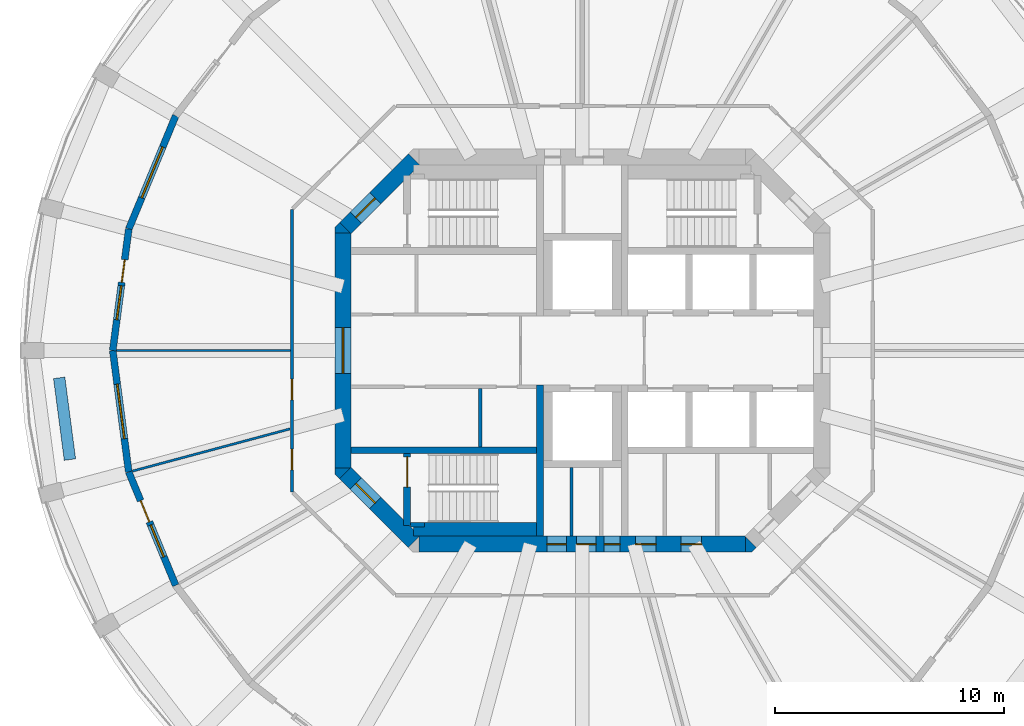
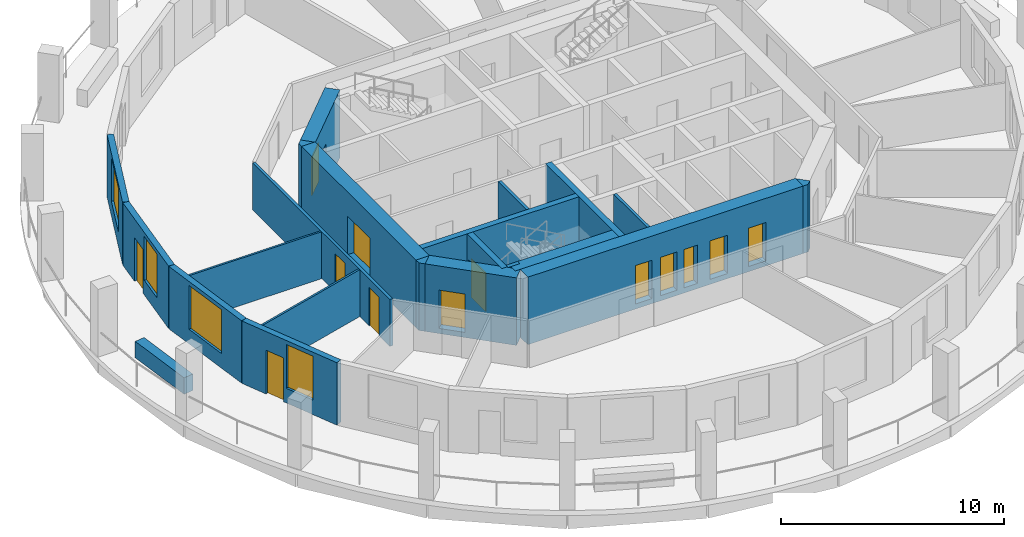
# One storey, part 3 of 9: 22 walls, 13 doors, 4 windows, 17 openings.
"""IFC4 building model written with IfcOpenShell, lengths in metres."""

from ifc_helpers import new_model, si_unit, direction, frame, frame_2d, origin, place, context, subcontext, project, spatial, polyline, rectangle, outline, extrude, material, layer, layer_set, type_object, element, fill, save


model = new_model("IFC4")

# Units and contexts
model_context = context("Model", 3, precision=1e-05, world=origin(), true_north=direction((0.0, 1.0)))
body_context = subcontext(model_context, "Body", "Model", "MODEL_VIEW")
ifc_project = project(units=[si_unit("LENGTHUNIT", "METRE"), si_unit("AREAUNIT", "SQUARE_METRE"), si_unit("VOLUMEUNIT", "CUBIC_METRE"), si_unit("PLANEANGLEUNIT", "RADIAN"), si_unit("MASSUNIT", "GRAM", prefix="KILO")], contexts=[model_context])

# Site, building, storey
site_placement = place(None, origin())
site = spatial("IfcSite", under=ifc_project, at=site_placement, CompositionType="ELEMENT")
building_placement = place(site_placement, origin())
building = spatial("IfcBuilding", under=site, at=building_placement, Name="Torre Triforio", CompositionType="ELEMENT")
storey_placement = place(building_placement, frame((0.0, 0.0, 229.800048828125)))
storey = spatial("IfcBuildingStorey", under=building, at=storey_placement, Name="L52", CompositionType="ELEMENT", Elevation=229.800048828125)

# Wall
ifc_material_1 = material(Name="Concrete C50", Category="concrete")
ifc_layer_1 = layer(ifc_material_1, 0.300048828125)
ifc_layer_set_1 = layer_set([ifc_layer_1], Name="Concrete C50")
wall_type_1 = type_object("IfcWallType", Name="Core wall 300 mm C50 EI 120", PredefinedType="SHEAR", material=ifc_layer_set_1)
wall_1_placement = place(storey_placement, frame((-1.85009765625, -8.10009765625, 0.0), z_axis=(0.0, 0.0, 1.0), x_axis=(0.0, 1.0, 0.0)))
element("IfcWall", 1, at=wall_1_placement, inside=storey, type_object=wall_type_1, Name="Core wall", PredefinedType="SHEAR", context=body_context, shape_type="SweptSolid", body=[
    extrude(rectangle(XDim=6.60009765625, YDim=0.300048828125, at=frame_2d((3.300048828125, 0.0))), origin(), (0.0, 0.0, 1.0), 3.419921875),
])

# Wall, openings, doors
ifc_layer_2 = layer(ifc_material_1, 0.699951171875)
ifc_layer_set_2 = layer_set([ifc_layer_2], Name="Concrete C50")
wall_type_2 = type_object("IfcWallType", Name="Core wall 700 mm C50 EI 120", PredefinedType="SHEAR", material=ifc_layer_set_2)
wall_2_placement = place(storey_placement, frame((-7.1298828125, -8.449951171875, -0.280029296875), z_axis=(0.0, 0.0, 1.0), x_axis=(1.0, 0.0, 0.0)))
wall_2 = element("IfcWall", 2, at=wall_2_placement, inside=storey, type_object=wall_type_2, Name="Core wall", PredefinedType="SHEAR", context=body_context, shape_type="SweptSolid", body=[
    extrude(rectangle(XDim=14.259765625, YDim=0.699951171875, at=frame_2d((7.1298828125, 0.0))), origin(), (0.0, 0.0, 1.0), 3.699951171875),
])
opening_1_placement = place(wall_2_placement, frame((8.080078125, 0.0, 0.280029296875)))
opening_1 = element("IfcOpeningElement", 3, at=opening_1_placement, cuts=wall_2, Name="Opening RISER-S", PredefinedType="OPENING", context=body_context, shape_type="SweptSolid", body=[
    extrude(rectangle(XDim=0.699951171875, YDim=2.10009765625, at=frame_2d((0.35009765625, 1.050048828125))), frame((0.0, 0.35986328125, 0.0), z_axis=(0.0, -1.0, 0.0), x_axis=(1.0, 0.0, 0.0)), (0.0, 0.0, 1.0), 0.719970703125),
])
opening_2_placement = place(wall_2_placement, frame((5.580078125, 0.0, 0.280029296875)))
opening_2 = element("IfcOpeningElement", 4, at=opening_2_placement, cuts=wall_2, Name="Opening SW-01A", PredefinedType="OPENING", context=body_context, shape_type="SweptSolid", body=[
    extrude(rectangle(XDim=0.85009765625, YDim=2.10009765625, at=frame_2d((0.425048828125, 1.050048828125))), frame((0.0, 0.35986328125, 0.0), z_axis=(0.0, -1.0, 0.0), x_axis=(1.0, 0.0, 0.0)), (0.0, 0.0, 1.0), 0.719970703125),
])
opening_3_placement = place(wall_2_placement, frame((6.8798828125, 0.0, 0.280029296875)))
opening_3 = element("IfcOpeningElement", 5, at=opening_3_placement, cuts=wall_2, Name="Opening SW-02", PredefinedType="OPENING", context=body_context, shape_type="SweptSolid", body=[
    extrude(rectangle(XDim=0.85009765625, YDim=2.10009765625, at=frame_2d((0.425048828125, 1.050048828125))), frame((0.0, 0.35986328125, 0.0), z_axis=(0.0, -1.0, 0.0), x_axis=(1.0, 0.0, 0.0)), (0.0, 0.0, 1.0), 0.719970703125),
])
opening_4_placement = place(wall_2_placement, frame((9.445068359375, 0.0, 0.280029296875)))
opening_4 = element("IfcOpeningElement", 6, at=opening_4_placement, cuts=wall_2, Name="Opening SE-01A", PredefinedType="OPENING", context=body_context, shape_type="SweptSolid", body=[
    extrude(rectangle(XDim=0.89990234375, YDim=2.10009765625, at=frame_2d((0.449951171875, 1.050048828125))), frame((0.0, 0.35986328125, 0.0), z_axis=(0.0, -1.0, 0.0), x_axis=(1.0, 0.0, 0.0)), (0.0, 0.0, 1.0), 0.719970703125),
])
opening_5_placement = place(wall_2_placement, frame((11.430908203125, 0.0, 0.280029296875)))
opening_5 = element("IfcOpeningElement", 7, at=opening_5_placement, cuts=wall_2, Name="Opening SE-02", PredefinedType="OPENING", context=body_context, shape_type="SweptSolid", body=[
    extrude(rectangle(XDim=0.89990234375, YDim=2.10009765625, at=frame_2d((0.449951171875, 1.050048828125))), frame((0.0, 0.35986328125, 0.0), z_axis=(0.0, -1.0, 0.0), x_axis=(1.0, 0.0, 0.0)), (0.0, 0.0, 1.0), 0.719970703125),
])
ifc_material_2 = material(Name="Hollow metal fire door leaf")
door_type_1 = type_object("IfcDoorType", Name="Riser door 700 x 2100 EI 60", OperationType="NOTDEFINED", PredefinedType="DOOR", material=ifc_material_2)
door_1_placement = place(opening_1_placement, origin())
door_1 = element("IfcDoor", 8, at=door_1_placement, inside=storey, type_object=door_type_1, Name="Core door RISER-S", OperationType="SINGLE_SWING_RIGHT", OverallHeight=2.10009765625, OverallWidth=0.699951171875, PredefinedType="DOOR", context=body_context, shape_type="SweptSolid", body=[
    extrude(rectangle(XDim=0.699951171875, YDim=2.10009765625, at=frame_2d((0.35009765625, 1.050048828125))), frame((0.0, 0.02490234375, 0.0), z_axis=(0.0, -1.0, 0.0), x_axis=(1.0, 0.0, 0.0)), (0.0, 0.0, 1.0), 0.050048828125),
])
fill(opening_1, door_1)
door_type_2 = type_object("IfcDoorType", Name="Room door 850 x 2100 EI 60", OperationType="NOTDEFINED", PredefinedType="DOOR", material=ifc_material_2)
door_2_placement = place(opening_2_placement, origin())
door_2 = element("IfcDoor", 9, at=door_2_placement, inside=storey, type_object=door_type_2, Name="Core door SW-01", OperationType="SINGLE_SWING_RIGHT", OverallHeight=2.10009765625, OverallWidth=0.85009765625, PredefinedType="DOOR", context=body_context, shape_type="SweptSolid", body=[
    extrude(rectangle(XDim=0.85009765625, YDim=2.10009765625, at=frame_2d((0.425048828125, 1.050048828125))), frame((0.0, 0.02490234375, 0.0), z_axis=(0.0, -1.0, 0.0), x_axis=(1.0, 0.0, 0.0)), (0.0, 0.0, 1.0), 0.050048828125),
])
fill(opening_2, door_2)
door_3_placement = place(opening_3_placement, origin())
door_3 = element("IfcDoor", 10, at=door_3_placement, inside=storey, type_object=door_type_2, Name="Core door SW-02", OperationType="SINGLE_SWING_LEFT", OverallHeight=2.10009765625, OverallWidth=0.85009765625, PredefinedType="DOOR", context=body_context, shape_type="SweptSolid", body=[
    extrude(rectangle(XDim=0.85009765625, YDim=2.10009765625, at=frame_2d((0.425048828125, 1.050048828125))), frame((0.0, 0.02490234375, 0.0), z_axis=(0.0, -1.0, 0.0), x_axis=(1.0, 0.0, 0.0)), (0.0, 0.0, 1.0), 0.050048828125),
])
fill(opening_3, door_3)
door_type_3 = type_object("IfcDoorType", Name="Room door 900 x 2100 EI 60", OperationType="NOTDEFINED", PredefinedType="DOOR", material=ifc_material_2)
door_4_placement = place(opening_4_placement, origin())
door_4 = element("IfcDoor", 11, at=door_4_placement, inside=storey, type_object=door_type_3, Name="Core door SE-01", OperationType="SINGLE_SWING_RIGHT", OverallHeight=2.10009765625, OverallWidth=0.89990234375, PredefinedType="DOOR", context=body_context, shape_type="SweptSolid", body=[
    extrude(rectangle(XDim=0.89990234375, YDim=2.10009765625, at=frame_2d((0.449951171875, 1.050048828125))), frame((0.0, 0.02490234375, 0.0), z_axis=(0.0, -1.0, 0.0), x_axis=(1.0, 0.0, 0.0)), (0.0, 0.0, 1.0), 0.050048828125),
])
fill(opening_4, door_4)
door_5_placement = place(opening_5_placement, origin())
door_5 = element("IfcDoor", 12, at=door_5_placement, inside=storey, type_object=door_type_3, Name="Core door SE-02", OperationType="SINGLE_SWING_LEFT", OverallHeight=2.10009765625, OverallWidth=0.89990234375, PredefinedType="DOOR", context=body_context, shape_type="SweptSolid", body=[
    extrude(rectangle(XDim=0.89990234375, YDim=2.10009765625, at=frame_2d((0.449951171875, 1.050048828125))), frame((0.0, 0.02490234375, 0.0), z_axis=(0.0, -1.0, 0.0), x_axis=(1.0, 0.0, 0.0)), (0.0, 0.0, 1.0), 0.050048828125),
])
fill(opening_5, door_5)

# Wall, opening, door
wall_3_placement = place(storey_placement, frame((-10.449951171875, -5.1298828125, -0.280029296875), z_axis=(0.0, 0.0, 1.0), x_axis=(0.0, 1.0, 0.0)))
wall_3 = element("IfcWall", 13, at=wall_3_placement, inside=storey, type_object=wall_type_2, Name="Core wall", PredefinedType="SHEAR", context=body_context, shape_type="SweptSolid", body=[
    extrude(rectangle(XDim=10.259765625, YDim=0.699951171875, at=frame_2d((5.1298828125, 0.0))), origin(), (0.0, 0.0, 1.0), 3.699951171875),
])
opening_6_placement = place(wall_3_placement, frame((4.1298828125, 0.0, 0.280029296875)))
opening_6 = element("IfcOpeningElement", 14, at=opening_6_placement, cuts=wall_3, Name="Opening W-RING", PredefinedType="OPENING", context=body_context, shape_type="SweptSolid", body=[
    extrude(rectangle(XDim=2.0, YDim=2.10009765625, at=frame_2d((1.0, 1.050048828125))), frame((0.0, 0.35986328125, 0.0), z_axis=(0.0, -1.0, 0.0), x_axis=(1.0, 0.0, 0.0)), (0.0, 0.0, 1.0), 0.719970703125),
])
door_type_4 = type_object("IfcDoorType", Name="Lobby door 2000 x 2100 EI 60", OperationType="DOUBLE_DOOR_SINGLE_SWING", PredefinedType="DOOR", material=ifc_material_2)
door_6_placement = place(opening_6_placement, origin())
door_6 = element("IfcDoor", 15, at=door_6_placement, inside=storey, type_object=door_type_4, Name="Core door W-RING", OperationType="DOUBLE_DOOR_SINGLE_SWING", OverallHeight=2.10009765625, OverallWidth=2.0, PredefinedType="DOOR", context=body_context, shape_type="SweptSolid", body=[
    extrude(rectangle(XDim=2.0, YDim=2.10009765625, at=frame_2d((1.0, 1.050048828125))), frame((0.0, 0.02490234375, 0.0), z_axis=(0.0, -1.0, 0.0), x_axis=(1.0, 0.0, 0.0)), (0.0, 0.0, 1.0), 0.050048828125),
])
fill(opening_6, door_6)

wall_4_placement = place(storey_placement, frame((-10.347412109375, 5.347412109375, -0.280029296875), z_axis=(0.0, 0.0, 1.0), x_axis=(0.707106781187, 0.707106781187, 0.0)))
wall_4 = element("IfcWall", 16, at=wall_4_placement, inside=storey, type_object=wall_type_2, Name="Core wall", PredefinedType="SHEAR", context=body_context, shape_type="SweptSolid", body=[
    extrude(rectangle(XDim=4.24267578125, YDim=0.699951171875, at=frame_2d((2.121337890625, 0.0))), origin(), (0.0, 0.0, 1.0), 3.699951171875),
])
opening_7_placement = place(wall_4_placement, frame((0.64990234375, 0.0, 0.280029296875)))
opening_7 = element("IfcOpeningElement", 17, at=opening_7_placement, cuts=wall_4, Name="Opening ST1-EXIT", PredefinedType="OPENING", context=body_context, shape_type="SweptSolid", body=[
    extrude(rectangle(XDim=1.199951171875, YDim=2.10009765625, at=frame_2d((0.60009765625, 1.050048828125))), frame((0.0, 0.35986328125, 0.0), z_axis=(0.0, -1.0, 0.0), x_axis=(1.0, 0.0, 0.0)), (0.0, 0.0, 1.0), 0.719970703125),
])
door_type_5 = type_object("IfcDoorType", Name="Stair lobby door 1200 x 2100 EI 60", OperationType="NOTDEFINED", PredefinedType="DOOR", material=ifc_material_2)
door_7_placement = place(opening_7_placement, origin())
door_7 = element("IfcDoor", 18, at=door_7_placement, inside=storey, type_object=door_type_5, Name="Core door ST1-EXIT", OperationType="SINGLE_SWING_RIGHT", OverallHeight=2.10009765625, OverallWidth=1.199951171875, PredefinedType="DOOR", context=body_context, shape_type="SweptSolid", body=[
    extrude(rectangle(XDim=1.199951171875, YDim=2.10009765625, at=frame_2d((0.60009765625, 1.050048828125))), frame((0.0, 0.02490234375, 0.0), z_axis=(0.0, -1.0, 0.0), x_axis=(1.0, 0.0, 0.0)), (0.0, 0.0, 1.0), 0.050048828125),
])
fill(opening_7, door_7)

wall_5_placement = place(storey_placement, frame((-7.347412109375, -8.347412109375, -0.280029296875), z_axis=(0.0, 0.0, 1.0), x_axis=(-0.707106781187, 0.707106781187, 0.0)))
wall_5 = element("IfcWall", 19, at=wall_5_placement, inside=storey, type_object=wall_type_2, Name="Core wall", PredefinedType="SHEAR", context=body_context, shape_type="SweptSolid", body=[
    extrude(rectangle(XDim=4.24267578125, YDim=0.699951171875, at=frame_2d((2.121337890625, 0.0))), origin(), (0.0, 0.0, 1.0), 3.699951171875),
])
opening_8_placement = place(wall_5_placement, frame((2.392578125, 0.0, 0.280029296875)))
opening_8 = element("IfcOpeningElement", 20, at=opening_8_placement, cuts=wall_5, Name="Opening ST3-EXIT", PredefinedType="OPENING", context=body_context, shape_type="SweptSolid", body=[
    extrude(rectangle(XDim=1.199951171875, YDim=2.10009765625, at=frame_2d((0.60009765625, 1.050048828125))), frame((0.0, 0.35986328125, 0.0), z_axis=(0.0, -1.0, 0.0), x_axis=(1.0, 0.0, 0.0)), (0.0, 0.0, 1.0), 0.719970703125),
])
door_8_placement = place(opening_8_placement, origin())
door_8 = element("IfcDoor", 21, at=door_8_placement, inside=storey, type_object=door_type_5, Name="Core door ST3-EXIT", OperationType="SINGLE_SWING_RIGHT", OverallHeight=2.10009765625, OverallWidth=1.199951171875, PredefinedType="DOOR", context=body_context, shape_type="SweptSolid", body=[
    extrude(rectangle(XDim=1.199951171875, YDim=2.10009765625, at=frame_2d((0.60009765625, 1.050048828125))), frame((0.0, 0.02490234375, 0.0), z_axis=(0.0, -1.0, 0.0), x_axis=(1.0, 0.0, 0.0)), (0.0, 0.0, 1.0), 0.050048828125),
])
fill(opening_8, door_8)

# Walls
wall_6_placement = place(storey_placement, frame((0.0, 0.0, -0.280029296875)))
element("IfcWall", 22, at=wall_6_placement, inside=storey, type_object=wall_type_2, Name="Core wall", PredefinedType="SHEAR", context=body_context, shape_type="SweptSolid", body=[
    extrude(outline(polyline([(7.389892578125, -8.800048828125), (7.1298828125, -8.800048828125), (7.1298828125, -8.800048828125), (7.1298828125, -8.1298828125), (7.594970703125, -8.594970703125), (7.594970703125, -8.594970703125), (7.594970703125, -8.594970703125), (7.389892578125, -8.800048828125)])), origin(), (0.0, 0.0, 1.0), 3.699951171875),
])
wall_7_placement = place(storey_placement, frame((0.0, 0.0, -0.280029296875)))
element("IfcWall", 23, at=wall_7_placement, inside=storey, type_object=wall_type_2, Name="Core wall", PredefinedType="SHEAR", context=body_context, shape_type="SweptSolid", body=[
    extrude(outline(polyline([(-10.800048828125, -5.389892578125), (-10.800048828125, -5.1298828125), (-10.800048828125, -5.1298828125), (-10.1298828125, -5.1298828125), (-10.594970703125, -5.594970703125), (-10.594970703125, -5.594970703125), (-10.594970703125, -5.594970703125), (-10.800048828125, -5.389892578125)])), origin(), (0.0, 0.0, 1.0), 3.699951171875),
])
wall_8_placement = place(storey_placement, frame((0.0, 0.0, -0.280029296875)))
element("IfcWall", 24, at=wall_8_placement, inside=storey, type_object=wall_type_2, Name="Core wall", PredefinedType="SHEAR", context=body_context, shape_type="SweptSolid", body=[
    extrude(outline(polyline([(-10.594970703125, 5.594970703125), (-10.594970703125, 5.594970703125), (-10.594970703125, 5.594970703125), (-10.1298828125, 5.1298828125), (-10.800048828125, 5.1298828125), (-10.800048828125, 5.1298828125), (-10.800048828125, 5.389892578125), (-10.594970703125, 5.594970703125)])), origin(), (0.0, 0.0, 1.0), 3.699951171875),
])

# Wall, openings, doors
ifc_material_3 = material(Name="Plasterboard on metal studs")
ifc_layer_3 = layer(ifc_material_3, 0.14990234375)
ifc_layer_set_3 = layer_set([ifc_layer_3], Name="Plasterboard on metal studs")
wall_type_3 = type_object("IfcWallType", Name="Corridor and tenancy wall 150 mm EI 60", PredefinedType="PARTITIONING", material=ifc_layer_set_3)
wall_9_placement = place(storey_placement, frame((-12.675048828125, -6.16650390625, 0.0), z_axis=(0.0, 0.0, 1.0), x_axis=(0.0, 1.0, 0.0)))
wall_9 = element("IfcWall", 25, at=wall_9_placement, inside=storey, type_object=wall_type_3, Name="Partition 4", PredefinedType="PARTITIONING", context=body_context, shape_type="SweptSolid", body=[
    extrude(rectangle(XDim=12.3330078125, YDim=0.14990234375, at=frame_2d((6.16650390625, 0.0))), origin(), (0.0, 0.0, 1.0), 2.570068359375),
])
opening_9_placement = place(wall_9_placement, frame((4.017578125, 0.0, 0.0)))
opening_9 = element("IfcOpeningElement", 26, at=opening_9_placement, cuts=wall_9, Name="Opening O7-02", PredefinedType="OPENING", context=body_context, shape_type="SweptSolid", body=[
    extrude(rectangle(XDim=0.89990234375, YDim=2.10009765625, at=frame_2d((0.449951171875, 1.050048828125))), frame((0.0, 0.0849609375, 0.0), z_axis=(0.0, -1.0, 0.0), x_axis=(1.0, 0.0, 0.0)), (0.0, 0.0, 1.0), 0.169921875),
])
opening_10_placement = place(wall_9_placement, frame((0.960205078125, 0.0, 0.0)))
opening_10 = element("IfcOpeningElement", 27, at=opening_10_placement, cuts=wall_9, Name="Opening O7-03", PredefinedType="OPENING", context=body_context, shape_type="SweptSolid", body=[
    extrude(rectangle(XDim=0.89990234375, YDim=2.10009765625, at=frame_2d((0.449951171875, 1.050048828125))), frame((0.0, 0.0849609375, 0.0), z_axis=(0.0, -1.0, 0.0), x_axis=(1.0, 0.0, 0.0)), (0.0, 0.0, 1.0), 0.169921875),
])
ifc_material_4 = material(Name="Timber", Category="wood")
door_type_6 = type_object("IfcDoorType", Name="Door 900 x 2100 single leaf EI 30", OperationType="NOTDEFINED", PredefinedType="DOOR", material=ifc_material_4)
door_9_placement = place(opening_9_placement, origin())
door_9 = element("IfcDoor", 28, at=door_9_placement, inside=storey, type_object=door_type_6, Name="Door O7-02", OperationType="SINGLE_SWING_LEFT", OverallHeight=2.10009765625, OverallWidth=0.89990234375, PredefinedType="DOOR", context=body_context, shape_type="SweptSolid", body=[
    extrude(rectangle(XDim=0.89990234375, YDim=2.10009765625, at=frame_2d((0.449951171875, 1.050048828125))), frame((0.0, 0.02490234375, 0.0), z_axis=(0.0, -1.0, 0.0), x_axis=(1.0, 0.0, 0.0)), (0.0, 0.0, 1.0), 0.050048828125),
])
fill(opening_9, door_9)
door_10_placement = place(opening_10_placement, origin())
door_10 = element("IfcDoor", 29, at=door_10_placement, inside=storey, type_object=door_type_6, Name="Door O7-03", OperationType="SINGLE_SWING_LEFT", OverallHeight=2.10009765625, OverallWidth=0.89990234375, PredefinedType="DOOR", context=body_context, shape_type="SweptSolid", body=[
    extrude(rectangle(XDim=0.89990234375, YDim=2.10009765625, at=frame_2d((0.449951171875, 1.050048828125))), frame((0.0, 0.02490234375, 0.0), z_axis=(0.0, -1.0, 0.0), x_axis=(1.0, 0.0, 0.0)), (0.0, 0.0, 1.0), 0.050048828125),
])
fill(opening_10, door_10)

# Walls
ifc_layer_4 = layer(ifc_material_3, 0.10009765625)
ifc_layer_set_4 = layer_set([ifc_layer_4], Name="Plasterboard on metal studs")
wall_type_4 = type_object("IfcWallType", Name="Partition 100 mm board on metal studs", PredefinedType="PARTITIONING", material=ifc_layer_set_4)
wall_10_placement = place(storey_placement, frame((-12.75, 0.0, 0.0), z_axis=(0.0, 0.0, 1.0), x_axis=(-1.0, 0.0, 0.0)))
element("IfcWall", 30, at=wall_10_placement, inside=storey, type_object=wall_type_4, Name="Partition 18", PredefinedType="PARTITIONING", context=body_context, shape_type="SweptSolid", body=[
    extrude(rectangle(XDim=7.586669921875, YDim=0.10009765625, at=frame_2d((3.79345703125, 0.0))), origin(), (0.0, 0.0, 1.0), 2.570068359375),
])
wall_11_placement = place(storey_placement, frame((-12.764404296875, -3.420166015625, 0.0), z_axis=(0.0, 0.0, 1.0), x_axis=(-0.965928160208, -0.258810334643, 0.0)))
element("IfcWall", 31, at=wall_11_placement, inside=storey, type_object=wall_type_4, Name="Partition 19", PredefinedType="PARTITIONING", context=body_context, shape_type="SweptSolid", body=[
    extrude(rectangle(XDim=7.1220703125, YDim=0.10009765625, at=frame_2d((3.56103515625, 0.0))), origin(), (0.0, 0.0, 1.0), 2.570068359375),
])
ifc_material_5 = material(Name="Block and board partition")
ifc_layer_5 = layer(ifc_material_5, 0.14990234375)
ifc_layer_set_5 = layer_set([ifc_layer_5], Name="Block and board partition")
wall_type_5 = type_object("IfcWallType", Name="Partition 150 mm", PredefinedType="PARTITIONING", material=ifc_layer_set_5)
wall_12_placement = place(storey_placement, frame((-0.47509765625, -8.10009765625, 0.0), z_axis=(0.0, 0.0, 1.0), x_axis=(0.0, 1.0, 0.0)))
element("IfcWall", 32, at=wall_12_placement, inside=storey, type_object=wall_type_5, Name="Partition", PredefinedType="PARTITIONING", context=body_context, shape_type="SweptSolid", body=[
    extrude(rectangle(XDim=3.0, YDim=0.14990234375, at=frame_2d((1.5, 0.0))), origin(), (0.0, 0.0, 1.0), 3.419921875),
])
wall_13_placement = place(storey_placement, frame((-4.4599609375, -4.199951171875, 0.0), z_axis=(0.0, 0.0, 1.0), x_axis=(0.0, 1.0, 0.0)))
element("IfcWall", 33, at=wall_13_placement, inside=storey, type_object=wall_type_5, Name="Partition", PredefinedType="PARTITIONING", context=body_context, shape_type="SweptSolid", body=[
    extrude(rectangle(XDim=2.550048828125, YDim=0.14990234375, at=frame_2d((1.27490234375, 0.0))), origin(), (0.0, 0.0, 1.0), 3.419921875),
])
ifc_material_6 = material(Name="Limestone cladding", Category="masonry")
ifc_layer_6 = layer(ifc_material_6, 0.10009765625)
ifc_material_7 = material(Name="Concrete C40", Category="concrete")
ifc_layer_7 = layer(ifc_material_7, 0.39990234375)
ifc_layer_set_6 = layer_set([ifc_layer_6, ifc_layer_7], Name="Limestone cladding / Concrete C40")
wall_type_6 = type_object("IfcWallType", Name="Planter wall 500", PredefinedType="PARAPET", material=ifc_layer_set_6)
wall_14_placement = place(storey_placement, frame((-22.83984375, -1.19140625, 0.0), z_axis=(0.0, 0.0, 1.0), x_axis=(0.130484336385, -0.9914503709, 0.0)))
element("IfcWall", 34, at=wall_14_placement, inside=storey, type_object=wall_type_6, Name="Planter L52 bay 13", PredefinedType="PARAPET", context=body_context, shape_type="SweptSolid", body=[
    extrude(rectangle(XDim=3.599853515625, YDim=0.5, at=frame_2d((1.7998046875, 0.0))), origin(), (0.0, 0.0, 1.0), 0.89990234375),
])
ifc_layer_8 = layer(ifc_material_1, 0.300048828125)
ifc_layer_set_7 = layer_set([ifc_layer_8], Name="Concrete C50")
wall_type_7 = type_object("IfcWallType", Name="Shaft wall 300 mm C50 EI 120", PredefinedType="SOLIDWALL", material=ifc_layer_set_7)
wall_15_placement = place(storey_placement, frame((-10.10009765625, -4.35009765625, 0.0), z_axis=(0.0, 0.0, 1.0), x_axis=(1.0, 0.0, 0.0)))
element("IfcWall", 35, at=wall_15_placement, inside=storey, type_object=wall_type_7, Name="Shaft wall", PredefinedType="SOLIDWALL", context=body_context, shape_type="SweptSolid", body=[
    extrude(rectangle(XDim=8.10009765625, YDim=0.300048828125, at=frame_2d((4.050048828125, 0.0))), origin(), (0.0, 0.0, 1.0), 3.419921875),
])
ifc_layer_9 = layer(ifc_material_1, 0.199951171875)
ifc_layer_set_8 = layer_set([ifc_layer_9], Name="Concrete C50")
wall_type_8 = type_object("IfcWallType", Name="Stair wall 200 mm C50 EI 120", PredefinedType="SHEAR", material=ifc_layer_set_8)
wall_16_placement = place(storey_placement, frame((-7.5, -7.60009765625, 0.0), z_axis=(0.0, 0.0, 1.0), x_axis=(1.0, 0.0, 0.0)))
element("IfcWall", 36, at=wall_16_placement, inside=storey, type_object=wall_type_8, Name="Stair wall", PredefinedType="SHEAR", context=body_context, shape_type="SweptSolid", body=[
    extrude(rectangle(XDim=0.60009765625, YDim=0.199951171875, at=frame_2d((0.300048828125, 0.0))), origin(), (0.0, 0.0, 1.0), 3.419921875),
])

# Wall, opening, door
ifc_layer_10 = layer(ifc_material_1, 0.300048828125)
ifc_layer_set_9 = layer_set([ifc_layer_10], Name="Concrete C50")
wall_type_9 = type_object("IfcWallType", Name="Stair wall 300 mm C50 EI 120", PredefinedType="SHEAR", material=ifc_layer_set_9)
wall_17_placement = place(storey_placement, frame((-7.64990234375, -7.639892578125, 0.0), z_axis=(0.0, 0.0, 1.0), x_axis=(0.0, 1.0, 0.0)))
wall_17 = element("IfcWall", 37, at=wall_17_placement, inside=storey, type_object=wall_type_9, Name="Stair wall", PredefinedType="SHEAR", context=body_context, shape_type="SweptSolid", body=[
    extrude(rectangle(XDim=3.139892578125, YDim=0.300048828125, at=frame_2d((1.56982421875, 0.0))), origin(), (0.0, 0.0, 1.0), 3.419921875),
])
opening_11_placement = place(wall_17_placement, frame((1.679931640625, 0.0, 0.0)))
opening_11 = element("IfcOpeningElement", 38, at=opening_11_placement, cuts=wall_17, Name="Opening ST3-STA", PredefinedType="OPENING", context=body_context, shape_type="SweptSolid", body=[
    extrude(rectangle(XDim=1.320068359375, YDim=2.10009765625, at=frame_2d((0.66015625, 1.050048828125))), frame((0.0, 0.159912109375, 0.0), z_axis=(0.0, -1.0, 0.0), x_axis=(1.0, 0.0, 0.0)), (0.0, 0.0, 1.0), 0.320068359375),
])
door_type_7 = type_object("IfcDoorType", Name="Stair door 1320 x 2100 EI 90", OperationType="DOUBLE_DOOR_SINGLE_SWING", PredefinedType="DOOR", material=ifc_material_2)
door_11_placement = place(opening_11_placement, origin())
door_11 = element("IfcDoor", 39, at=door_11_placement, inside=storey, type_object=door_type_7, Name="Core door ST3-ST", OperationType="DOUBLE_DOOR_SINGLE_SWING", OverallHeight=2.10009765625, OverallWidth=1.320068359375, PredefinedType="DOOR", context=body_context, shape_type="SweptSolid", body=[
    extrude(rectangle(XDim=1.320068359375, YDim=2.10009765625, at=frame_2d((0.66015625, 1.050048828125))), frame((0.0, 0.02490234375, 0.0), z_axis=(0.0, -1.0, 0.0), x_axis=(1.0, 0.0, 0.0)), (0.0, 0.0, 1.0), 0.050048828125),
])
fill(opening_11, door_11)

# Wall
ifc_layer_11 = layer(ifc_material_1, 0.60009765625)
ifc_layer_set_10 = layer_set([ifc_layer_11], Name="Concrete C50")
wall_type_10 = type_object("IfcWallType", Name="Stair wall 600 mm C50 EI 120", PredefinedType="SHEAR", material=ifc_layer_set_10)
wall_18_placement = place(storey_placement, frame((-7.3701171875, -7.800048828125, 0.0), z_axis=(0.0, 0.0, 1.0), x_axis=(1.0, 0.0, 0.0)))
element("IfcWall", 40, at=wall_18_placement, inside=storey, type_object=wall_type_10, Name="Stair wall", PredefinedType="SHEAR", context=body_context, shape_type="SweptSolid", body=[
    extrude(rectangle(XDim=5.3701171875, YDim=0.60009765625, at=frame_2d((2.68505859375, 0.0))), origin(), (0.0, 0.0, 1.0), 3.419921875),
])

# Wall, opening, window
ifc_layer_12 = layer(ifc_material_6, 0.10009765625)
ifc_layer_13 = layer(ifc_material_7, 0.199951171875)
ifc_layer_set_11 = layer_set([ifc_layer_12, ifc_layer_13], Name="Limestone cladding / Concrete C40")
wall_type_11 = type_object("IfcWallType", Name="Stone-faced composite wall 300", PredefinedType="STANDARD", material=ifc_layer_set_11)
wall_19_placement = place(storey_placement, frame((-17.75341796875, 10.25, 0.0), z_axis=(0.0, 0.0, 1.0), x_axis=(-0.382713071139, -0.923867255172, 0.0)))
wall_19 = element("IfcWall", 41, at=wall_19_placement, inside=storey, type_object=wall_type_11, Name="External wall L52 bay 11", PredefinedType="STANDARD", context=body_context, shape_type="SweptSolid", body=[
    extrude(rectangle(XDim=5.3515625, YDim=0.300048828125, at=frame_2d((2.67578125, 0.0))), origin(), (0.0, 0.0, 1.0), 3.419921875),
])
opening_12_placement = place(wall_19_placement, frame((1.475830078125, 0.0, 0.800048828125)))
opening_12 = element("IfcOpeningElement", 42, at=opening_12_placement, cuts=wall_19, Name="Opening O7-W11", PredefinedType="OPENING", context=body_context, shape_type="SweptSolid", body=[
    extrude(rectangle(XDim=2.39990234375, YDim=2.39990234375, at=frame_2d((1.199951171875, 1.199951171875))), frame((0.0, 0.159912109375, 0.0), z_axis=(0.0, -1.0, 0.0), x_axis=(1.0, 0.0, 0.0)), (0.0, 0.0, 1.0), 0.320068359375),
])
ifc_material_8 = material(Name="Aluminium frame with clear double glazing", Category="aluminium")
window_type_1 = type_object("IfcWindowType", Name="Punched window 2400 x 2400", PartitioningType="DOUBLE_PANEL_VERTICAL", PredefinedType="WINDOW", material=ifc_material_8)
window_1_placement = place(opening_12_placement, origin())
window_1 = element("IfcWindow", 43, at=window_1_placement, inside=storey, type_object=window_type_1, Name="Window EWN4 L52 bay 11", OverallHeight=2.39990234375, OverallWidth=2.39990234375, PartitioningType="SINGLE_PANEL", PredefinedType="WINDOW", context=body_context, shape_type="SweptSolid", body=[
    extrude(rectangle(XDim=2.39990234375, YDim=2.39990234375, at=frame_2d((1.199951171875, 1.199951171875))), frame((0.0, 0.030029296875, 0.0), z_axis=(0.0, -1.0, 0.0), x_axis=(1.0, 0.0, 0.0)), (0.0, 0.0, 1.0), 0.06005859375),
])
fill(opening_12, window_1)

# Wall, openings, door, window
wall_20_placement = place(storey_placement, frame((-19.801513671875, 5.305908203125, 0.0), z_axis=(0.0, 0.0, 1.0), x_axis=(-0.130517056518, -0.991446064069, 0.0)))
wall_20 = element("IfcWall", 44, at=wall_20_placement, inside=storey, type_object=wall_type_11, Name="External wall L52 bay 12", PredefinedType="STANDARD", context=body_context, shape_type="SweptSolid", body=[
    extrude(rectangle(XDim=5.351806640625, YDim=0.300048828125, at=frame_2d((2.67578125, 0.0))), origin(), (0.0, 0.0, 1.0), 3.419921875),
])
opening_13_placement = place(wall_20_placement, frame((1.350830078125, 0.0, 0.0)))
opening_13 = element("IfcOpeningElement", 45, at=opening_13_placement, cuts=wall_20, Name="Opening O7-D12", PredefinedType="OPENING", context=body_context, shape_type="SweptSolid", body=[
    extrude(rectangle(XDim=1.0, YDim=2.39990234375, at=frame_2d((0.5, 1.199951171875))), frame((0.0, 0.159912109375, 0.0), z_axis=(0.0, -1.0, 0.0), x_axis=(1.0, 0.0, 0.0)), (0.0, 0.0, 1.0), 0.320068359375),
])
opening_14_placement = place(wall_20_placement, frame((2.500732421875, 0.0, 0.800048828125)))
opening_14 = element("IfcOpeningElement", 46, at=opening_14_placement, cuts=wall_20, Name="Opening O7-W12A", PredefinedType="OPENING", context=body_context, shape_type="SweptSolid", body=[
    extrude(rectangle(XDim=1.5, YDim=2.39990234375, at=frame_2d((0.75, 1.199951171875))), frame((0.0, 0.159912109375, 0.0), z_axis=(0.0, -1.0, 0.0), x_axis=(1.0, 0.0, 0.0)), (0.0, 0.0, 1.0), 0.320068359375),
])
door_type_8 = type_object("IfcDoorType", Name="Loggia door 1000 x 2400", OperationType="NOTDEFINED", PredefinedType="DOOR", material=ifc_material_8)
door_12_placement = place(opening_13_placement, origin())
door_12 = element("IfcDoor", 47, at=door_12_placement, inside=storey, type_object=door_type_8, Name="Loggia door L52 bay 12", OperationType="SINGLE_SWING_LEFT", OverallHeight=2.39990234375, OverallWidth=1.0, PredefinedType="DOOR", context=body_context, shape_type="SweptSolid", body=[
    extrude(rectangle(XDim=1.0, YDim=2.39990234375, at=frame_2d((0.5, 1.199951171875))), frame((0.0, 0.02490234375, 0.0), z_axis=(0.0, -1.0, 0.0), x_axis=(1.0, 0.0, 0.0)), (0.0, 0.0, 1.0), 0.050048828125),
])
fill(opening_13, door_12)
window_type_2 = type_object("IfcWindowType", Name="Side window 1500 x 2400", PartitioningType="SINGLE_PANEL", PredefinedType="WINDOW", material=ifc_material_8)
window_2_placement = place(opening_14_placement, origin())
window_2 = element("IfcWindow", 48, at=window_2_placement, inside=storey, type_object=window_type_2, Name="Side window EWN14 L52 bay 12", OverallHeight=2.39990234375, OverallWidth=1.5, PartitioningType="SINGLE_PANEL", PredefinedType="WINDOW", context=body_context, shape_type="SweptSolid", body=[
    extrude(rectangle(XDim=1.5, YDim=2.39990234375, at=frame_2d((0.75, 1.199951171875))), frame((0.0, 0.030029296875, 0.0), z_axis=(0.0, -1.0, 0.0), x_axis=(1.0, 0.0, 0.0)), (0.0, 0.0, 1.0), 0.06005859375),
])
fill(opening_14, window_2)

# Wall, opening, window
wall_21_placement = place(storey_placement, frame((-20.5, 0.0, 0.0), z_axis=(0.0, 0.0, 1.0), x_axis=(0.130517056518, -0.991446064069, 0.0)))
wall_21 = element("IfcWall", 49, at=wall_21_placement, inside=storey, type_object=wall_type_11, Name="External wall L52 bay 13", PredefinedType="STANDARD", context=body_context, shape_type="SweptSolid", body=[
    extrude(rectangle(XDim=5.351806640625, YDim=0.300048828125, at=frame_2d((2.67578125, 0.0))), origin(), (0.0, 0.0, 1.0), 3.419921875),
])
opening_15_placement = place(wall_21_placement, frame((1.475830078125, 0.0, 0.800048828125)))
opening_15 = element("IfcOpeningElement", 50, at=opening_15_placement, cuts=wall_21, Name="Opening O7-W13", PredefinedType="OPENING", context=body_context, shape_type="SweptSolid", body=[
    extrude(rectangle(XDim=2.39990234375, YDim=2.39990234375, at=frame_2d((1.199951171875, 1.199951171875))), frame((0.0, 0.159912109375, 0.0), z_axis=(0.0, -1.0, 0.0), x_axis=(1.0, 0.0, 0.0)), (0.0, 0.0, 1.0), 0.320068359375),
])
window_3_placement = place(opening_15_placement, origin())
window_3 = element("IfcWindow", 51, at=window_3_placement, inside=storey, type_object=window_type_1, Name="Window EWN4 L52 bay 13", OverallHeight=2.39990234375, OverallWidth=2.39990234375, PartitioningType="SINGLE_PANEL", PredefinedType="WINDOW", context=body_context, shape_type="SweptSolid", body=[
    extrude(rectangle(XDim=2.39990234375, YDim=2.39990234375, at=frame_2d((1.199951171875, 1.199951171875))), frame((0.0, 0.030029296875, 0.0), z_axis=(0.0, -1.0, 0.0), x_axis=(1.0, 0.0, 0.0)), (0.0, 0.0, 1.0), 0.06005859375),
])
fill(opening_15, window_3)

# Wall, openings, door, window
wall_22_placement = place(storey_placement, frame((-19.801513671875, -5.305908203125, 0.0), z_axis=(0.0, 0.0, 1.0), x_axis=(0.382713071139, -0.923867255172, 0.0)))
wall_22 = element("IfcWall", 52, at=wall_22_placement, inside=storey, type_object=wall_type_11, Name="External wall L52 bay 14", PredefinedType="STANDARD", context=body_context, shape_type="SweptSolid", body=[
    extrude(rectangle(XDim=5.3515625, YDim=0.300048828125, at=frame_2d((2.67578125, 0.0))), origin(), (0.0, 0.0, 1.0), 3.419921875),
])
opening_16_placement = place(wall_22_placement, frame((1.350830078125, 0.0, 0.0)))
opening_16 = element("IfcOpeningElement", 53, at=opening_16_placement, cuts=wall_22, Name="Opening O7-D14", PredefinedType="OPENING", context=body_context, shape_type="SweptSolid", body=[
    extrude(rectangle(XDim=1.0, YDim=2.39990234375, at=frame_2d((0.5, 1.199951171875))), frame((0.0, 0.159912109375, 0.0), z_axis=(0.0, -1.0, 0.0), x_axis=(1.0, 0.0, 0.0)), (0.0, 0.0, 1.0), 0.320068359375),
])
opening_17_placement = place(wall_22_placement, frame((2.500732421875, 0.0, 0.800048828125)))
opening_17 = element("IfcOpeningElement", 54, at=opening_17_placement, cuts=wall_22, Name="Opening O7-W14A", PredefinedType="OPENING", context=body_context, shape_type="SweptSolid", body=[
    extrude(rectangle(XDim=1.5, YDim=2.39990234375, at=frame_2d((0.75, 1.199951171875))), frame((0.0, 0.159912109375, 0.0), z_axis=(0.0, -1.0, 0.0), x_axis=(1.0, 0.0, 0.0)), (0.0, 0.0, 1.0), 0.320068359375),
])
door_13_placement = place(opening_16_placement, origin())
door_13 = element("IfcDoor", 55, at=door_13_placement, inside=storey, type_object=door_type_8, Name="Loggia door L52 bay 14", OperationType="SINGLE_SWING_LEFT", OverallHeight=2.39990234375, OverallWidth=1.0, PredefinedType="DOOR", context=body_context, shape_type="SweptSolid", body=[
    extrude(rectangle(XDim=1.0, YDim=2.39990234375, at=frame_2d((0.5, 1.199951171875))), frame((0.0, 0.02490234375, 0.0), z_axis=(0.0, -1.0, 0.0), x_axis=(1.0, 0.0, 0.0)), (0.0, 0.0, 1.0), 0.050048828125),
])
fill(opening_16, door_13)
window_4_placement = place(opening_17_placement, origin())
window_4 = element("IfcWindow", 56, at=window_4_placement, inside=storey, type_object=window_type_2, Name="Side window EWN14 L52 bay 14", OverallHeight=2.39990234375, OverallWidth=1.5, PartitioningType="SINGLE_PANEL", PredefinedType="WINDOW", context=body_context, shape_type="SweptSolid", body=[
    extrude(rectangle(XDim=1.5, YDim=2.39990234375, at=frame_2d((0.75, 1.199951171875))), frame((0.0, 0.030029296875, 0.0), z_axis=(0.0, -1.0, 0.0), x_axis=(1.0, 0.0, 0.0)), (0.0, 0.0, 1.0), 0.06005859375),
])
fill(opening_17, window_4)

save(model, "model.ifc")
